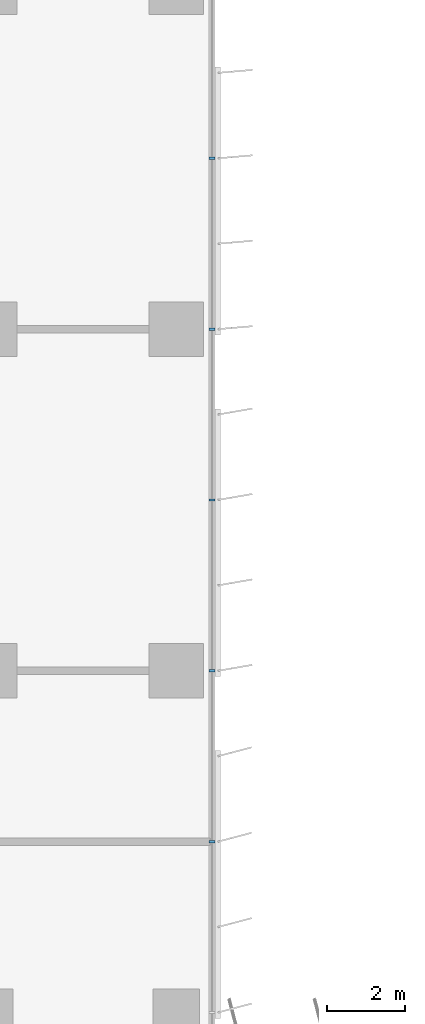
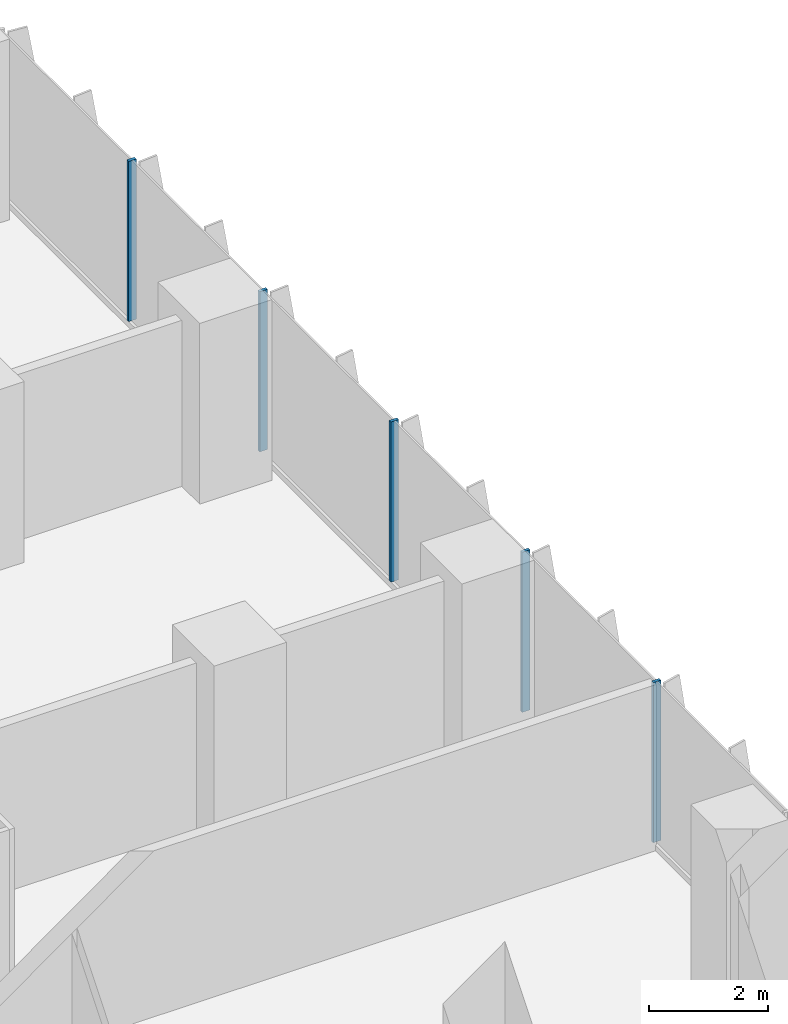
# One storey, part 5 of 24: 5 members, 1 element without a shape of its own.
"""IFC4 building model written with IfcOpenShell, lengths in metres."""

from ifc_helpers import new_model, si_unit, direction, frame, origin, origin_2d, place, context, subcontext, project, spatial, rectangle, extrude, source, transform, mapped, material, material_profile, profile_set, type_object, element, aggregate, save


model = new_model("IFC4")

# Units and contexts
model_context = context("Model", 3, precision=1e-05, world=origin(), true_north=direction((0.0, 1.0)))
body_context = subcontext(model_context, "Body", "Model", "MODEL_VIEW")
ifc_project = project(units=[si_unit("LENGTHUNIT", "METRE"), si_unit("AREAUNIT", "SQUARE_METRE"), si_unit("VOLUMEUNIT", "CUBIC_METRE"), si_unit("PLANEANGLEUNIT", "RADIAN"), si_unit("MASSUNIT", "GRAM", prefix="KILO")], contexts=[model_context])

# Site, building, storey
site_placement = place(None, origin())
site = spatial("IfcSite", under=ifc_project, at=site_placement, CompositionType="ELEMENT")
building_placement = place(site_placement, origin())
building = spatial("IfcBuilding", under=site, at=building_placement, Name="Kemantara Hotel Tower", CompositionType="ELEMENT")
storey_placement = place(building_placement, frame((0.0, 0.0, 76.0)))
storey = spatial("IfcBuildingStorey", under=building, at=storey_placement, Name="L17", CompositionType="ELEMENT", Elevation=76.0)

# Curtain wall, members
ifc_material_1 = material(Name="Low-E tinted double insulated glass 36 mm", Category="glass")
curtain_wall_type = type_object("IfcCurtainWallType", Name="TOWER CURTAIN WALL, FRONT FACES", PredefinedType="USERDEFINED", material=ifc_material_1)
curtain_wall_placement = place(storey_placement, origin())
curtain_wall = element("IfcCurtainWall", 1, at=curtain_wall_placement, inside=storey, type_object=curtain_wall_type, Name="CW4 L17 T1-R08-1", ObjectType="TOWER CURTAIN WALL, FRONT FACES", PredefinedType="USERDEFINED")
ifc_material_2 = material(Name="Aluminium 6063-T6 bronze anodised", Category="aluminium")
ifc_material_profile = material_profile(ifc_material_2, rectangle(XDim=0.14990234375, YDim=0.06005859375, at=origin_2d()), Name="TOWER CURTAIN WALL, FRONT FACES MULLION")
ifc_profile_set = profile_set([ifc_material_profile], Name="Aluminium 6063-T6 bronze anodised")
member_type = type_object("IfcMemberType", Name="TOWER CURTAIN WALL, FRONT FACES MULLION", PredefinedType="MULLION", material=ifc_profile_set)
shared_shape = source(origin(), body_context, "Body", "SweptSolid", [
    extrude(rectangle(XDim=0.14990234375, YDim=0.06005859375, at=origin_2d()), origin(), (0.0, 0.0, 1.0), 3.27978515625),
])
member_1_placement = place(storey_placement, frame((26.72509765625, 31.800048828125, 0.1201171875), z_axis=(0.0, 0.0, 1.0), x_axis=(-1.0, 0.0, 0.0)))
member_1 = element("IfcMember", 2, at=member_1_placement, type_object=member_type, Name="CW4 mullion T1-R08-1.3", PredefinedType="MULLION", context=body_context, shape_type="MappedRepresentation", body=[
    mapped(shared_shape, transform((0.0, 0.0, 0.0))),
])
member_2_placement = place(storey_placement, frame((26.72509765625, 36.199951171875, 0.1201171875), z_axis=(0.0, 0.0, 1.0), x_axis=(-1.0, 0.0, 0.0)))
member_2 = element("IfcMember", 3, at=member_2_placement, type_object=member_type, Name="CW4 mullion T1-R08-1.4", PredefinedType="MULLION", context=body_context, shape_type="MappedRepresentation", body=[
    mapped(shared_shape, transform((0.0, 0.0, 0.0))),
])
member_3_placement = place(storey_placement, frame((26.72509765625, 40.60009765625, 0.1201171875), z_axis=(0.0, 0.0, 1.0), x_axis=(-1.0, 0.0, 0.0)))
member_3 = element("IfcMember", 4, at=member_3_placement, type_object=member_type, Name="CW4 mullion T1-R08-1.5", PredefinedType="MULLION", context=body_context, shape_type="MappedRepresentation", body=[
    mapped(shared_shape, transform((0.0, 0.0, 0.0))),
])
member_4_placement = place(storey_placement, frame((26.72509765625, 45.0, 0.1201171875), z_axis=(0.0, 0.0, 1.0), x_axis=(-1.0, 0.0, 0.0)))
member_4 = element("IfcMember", 5, at=member_4_placement, type_object=member_type, Name="CW4 mullion T1-R08-1.6", PredefinedType="MULLION", context=body_context, shape_type="MappedRepresentation", body=[
    mapped(shared_shape, transform((0.0, 0.0, 0.0))),
])
member_5_placement = place(storey_placement, frame((26.72509765625, 49.39990234375, 0.1201171875), z_axis=(0.0, 0.0, 1.0), x_axis=(-1.0, 0.0, 0.0)))
member_5 = element("IfcMember", 6, at=member_5_placement, type_object=member_type, Name="CW4 mullion T1-R08-1.7", PredefinedType="MULLION", context=body_context, shape_type="MappedRepresentation", body=[
    mapped(shared_shape, transform((0.0, 0.0, 0.0))),
])
aggregate(curtain_wall, [member_1, member_2, member_3, member_4, member_5])

save(model, "model.ifc")
